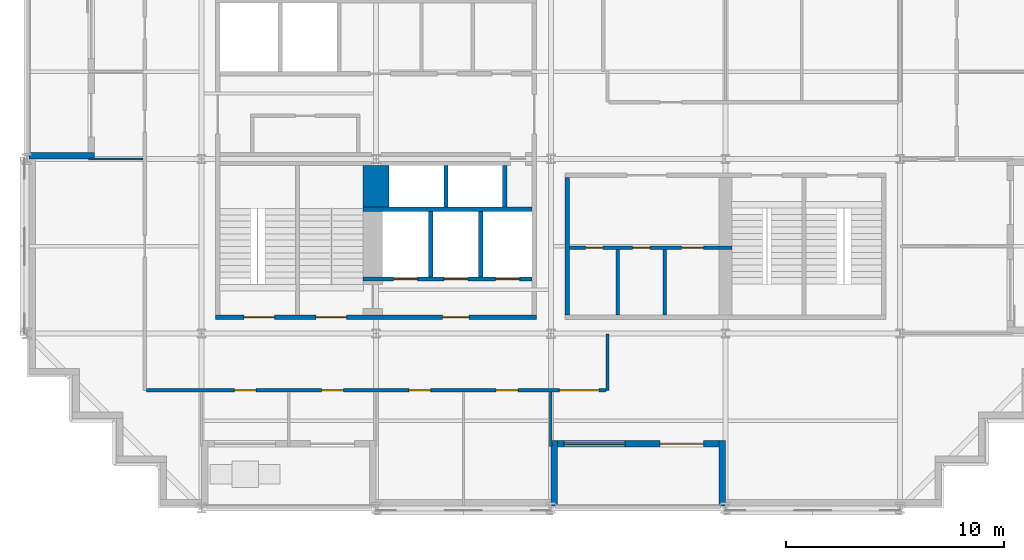
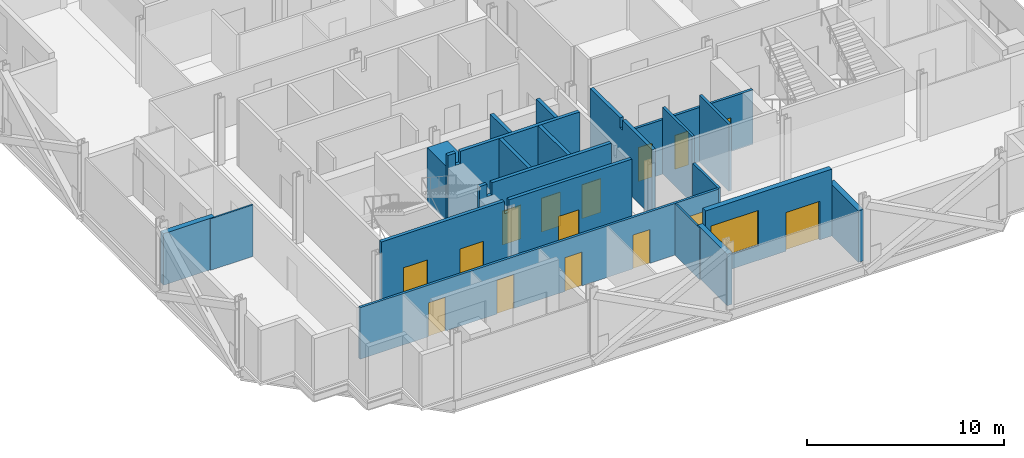
# One storey, part 6 of 15: 20 walls, 15 doors, 1 window, 16 openings.
"""IFC4 building model written with IfcOpenShell, lengths in metres."""

from ifc_helpers import new_model, si_unit, direction, frame, frame_2d, origin, place, context, subcontext, project, spatial, polyline, rectangle, outline, extrude, material, layer, layer_set, type_object, element, fill, save


model = new_model("IFC4")

# Units and contexts
model_context = context("Model", 3, precision=1e-05, world=origin(), true_north=direction((0.0, 1.0)))
body_context = subcontext(model_context, "Body", "Model", "MODEL_VIEW")
ifc_project = project(units=[si_unit("LENGTHUNIT", "METRE"), si_unit("AREAUNIT", "SQUARE_METRE"), si_unit("VOLUMEUNIT", "CUBIC_METRE"), si_unit("PLANEANGLEUNIT", "RADIAN"), si_unit("MASSUNIT", "GRAM", prefix="KILO")], contexts=[model_context])

# Site, building, storey
site_placement = place(None, origin())
site = spatial("IfcSite", under=ifc_project, at=site_placement, CompositionType="ELEMENT")
building_placement = place(site_placement, origin())
building = spatial("IfcBuilding", under=site, at=building_placement, Name="Immortelle Media Tower", CompositionType="ELEMENT")
storey_placement = place(building_placement, frame((0.0, 0.0, 109.60009765625)))
storey = spatial("IfcBuildingStorey", under=building, at=storey_placement, Name="L21", CompositionType="ELEMENT", Elevation=109.60009765625)

# Wall, openings, doors
ifc_material_1 = material(Name="Fire-rated gypsum board", Category="gypsum")
ifc_layer_1 = layer(ifc_material_1, 0.02490234375)
ifc_material_2 = material(Name="Steel ASTM A653 SS Gr 50 stud frame with mineral wool", Category="steel")
ifc_layer_2 = layer(ifc_material_2, 0.10009765625)
ifc_layer_3 = layer(ifc_material_1, 0.02490234375)
ifc_layer_set_1 = layer_set([ifc_layer_1, ifc_layer_2, ifc_layer_3], Name="Steel ASTM A653 SS Gr 50 stud frame with mineral wool")
wall_type_1 = type_object("IfcWallType", Name="Core partition 150", PredefinedType="PARTITIONING", material=ifc_layer_set_1)
wall_1_placement = place(storey_placement, frame((24.85009765625, 11.925048828125, 0.0), z_axis=(0.0, 0.0, 1.0), x_axis=(1.0, 0.0, 0.0)))
wall_1 = element("IfcWall", 1, at=wall_1_placement, inside=storey, type_object=wall_type_1, Name="Core partition SE", PredefinedType="PARTITIONING", context=body_context, shape_type="SweptSolid", body=[
    extrude(rectangle(XDim=7.449951171875, YDim=0.14990234375, at=frame_2d((3.72509765625, 0.0))), origin(), (0.0, 0.0, 1.0), 3.3818359375),
])
opening_1_placement = place(wall_1_placement, frame((1.550048828125, 0.0, 0.0), z_axis=(0.0, 0.0, 1.0), x_axis=(-1.0, 0.0, 0.0)))
opening_1 = element("IfcOpeningElement", 2, at=opening_1_placement, cuts=wall_1, Name="Opening N7-K015", PredefinedType="OPENING", context=body_context, shape_type="SweptSolid", body=[
    extrude(rectangle(XDim=0.800048828125, YDim=2.10009765625, at=frame_2d((0.39990234375, 1.050048828125))), frame((0.0, 0.0849609375, 0.0), z_axis=(0.0, -1.0, 0.0), x_axis=(1.0, 0.0, 0.0)), (0.0, 0.0, 1.0), 0.169921875),
])
opening_2_placement = place(wall_1_placement, frame((3.699951171875, 0.0, 0.0), z_axis=(0.0, 0.0, 1.0), x_axis=(-1.0, 0.0, 0.0)))
opening_2 = element("IfcOpeningElement", 3, at=opening_2_placement, cuts=wall_1, Name="Opening N7-K016", PredefinedType="OPENING", context=body_context, shape_type="SweptSolid", body=[
    extrude(rectangle(XDim=0.800048828125, YDim=2.10009765625, at=frame_2d((0.39990234375, 1.050048828125))), frame((0.0, 0.0849609375, 0.0), z_axis=(0.0, -1.0, 0.0), x_axis=(1.0, 0.0, 0.0)), (0.0, 0.0, 1.0), 0.169921875),
])
opening_3_placement = place(wall_1_placement, frame((6.14990234375, 0.0, 0.0), z_axis=(0.0, 0.0, 1.0), x_axis=(-1.0, 0.0, 0.0)))
opening_3 = element("IfcOpeningElement", 4, at=opening_3_placement, cuts=wall_1, Name="Opening N7-K018", PredefinedType="OPENING", context=body_context, shape_type="SweptSolid", body=[
    extrude(rectangle(XDim=1.0, YDim=2.10009765625, at=frame_2d((0.5, 1.050048828125))), frame((0.0, 0.0849609375, 0.0), z_axis=(0.0, -1.0, 0.0), x_axis=(1.0, 0.0, 0.0)), (0.0, 0.0, 1.0), 0.169921875),
])
ifc_material_3 = material(Name="Timber", Category="wood")
door_type_1 = type_object("IfcDoorType", Name="Accessible toilet door 1000 x 2100", OperationType="NOTDEFINED", PredefinedType="NOTDEFINED", material=ifc_material_3)
door_1_placement = place(opening_3_placement, origin())
door_1 = element("IfcDoor", 5, at=door_1_placement, inside=storey, type_object=door_type_1, Name="Accessible toilet N7-K018", OperationType="SINGLE_SWING_RIGHT", OverallHeight=2.10009765625, OverallWidth=1.0, PredefinedType="NOTDEFINED", context=body_context, shape_type="SweptSolid", body=[
    extrude(rectangle(XDim=1.0, YDim=2.10009765625, at=frame_2d((0.5, 1.050048828125))), frame((0.0, 0.02490234375, 0.0), z_axis=(0.0, -1.0, 0.0), x_axis=(1.0, 0.0, 0.0)), (0.0, 0.0, 1.0), 0.050048828125),
])
fill(opening_3, door_1)
door_type_2 = type_object("IfcDoorType", Name="Toilet door 800 x 2100", OperationType="NOTDEFINED", PredefinedType="NOTDEFINED", material=ifc_material_3)
door_2_placement = place(opening_1_placement, origin())
door_2 = element("IfcDoor", 6, at=door_2_placement, inside=storey, type_object=door_type_2, Name="Toilet N7-K015", OperationType="SINGLE_SWING_LEFT", OverallHeight=2.10009765625, OverallWidth=0.800048828125, PredefinedType="NOTDEFINED", context=body_context, shape_type="SweptSolid", body=[
    extrude(rectangle(XDim=0.800048828125, YDim=2.10009765625, at=frame_2d((0.39990234375, 1.050048828125))), frame((0.0, 0.02490234375, 0.0), z_axis=(0.0, -1.0, 0.0), x_axis=(1.0, 0.0, 0.0)), (0.0, 0.0, 1.0), 0.050048828125),
])
fill(opening_1, door_2)
door_3_placement = place(opening_2_placement, origin())
door_3 = element("IfcDoor", 7, at=door_3_placement, inside=storey, type_object=door_type_2, Name="Toilet N7-K016", OperationType="SINGLE_SWING_LEFT", OverallHeight=2.10009765625, OverallWidth=0.800048828125, PredefinedType="NOTDEFINED", context=body_context, shape_type="SweptSolid", body=[
    extrude(rectangle(XDim=0.800048828125, YDim=2.10009765625, at=frame_2d((0.39990234375, 1.050048828125))), frame((0.0, 0.02490234375, 0.0), z_axis=(0.0, -1.0, 0.0), x_axis=(1.0, 0.0, 0.0)), (0.0, 0.0, 1.0), 0.050048828125),
])
fill(opening_2, door_3)

# Walls
for number, where, z_axis, x_axis, name in (
    (8, (27.074951171875, 8.85009765625, 0.0), (0.0, 0.0, 1.0), (0.0, 1.0, 0.0), "Core partition SE"),
    (9, (29.22509765625, 8.85009765625, 0.0), (0.0, 0.0, 1.0), (0.0, 1.0, 0.0), "Core partition SE"),
):
    element("IfcWall", number, at=place(storey_placement, frame(where, z_axis=z_axis, x_axis=x_axis)), inside=storey, type_object=wall_type_1, Name=name, PredefinedType="PARTITIONING", context=body_context, shape_type="SweptSolid", body=[
        extrude(rectangle(XDim=3.0, YDim=0.14990234375, at=frame_2d((1.5, 0.0))), origin(), (0.0, 0.0, 1.0), 4.14990234375),
    ])

# Wall, openings, doors
ifc_layer_4 = layer(ifc_material_1, 0.03759765625)
ifc_layer_5 = layer(ifc_material_2, 0.125)
ifc_layer_6 = layer(ifc_material_1, 0.03759765625)
ifc_layer_set_2 = layer_set([ifc_layer_4, ifc_layer_5, ifc_layer_6], Name="Steel ASTM A653 SS Gr 50 stud frame with mineral wool")
wall_type_2 = type_object("IfcWallType", Name="Core shaft wall 200", PredefinedType="PARTITIONING", material=ifc_layer_set_2)
wall_2_placement = place(storey_placement, frame((15.39990234375, 10.5, 0.0), z_axis=(0.0, 0.0, 1.0), x_axis=(1.0, 0.0, 0.0)))
wall_2 = element("IfcWall", 10, at=wall_2_placement, inside=storey, type_object=wall_type_2, Name="Core shaft wall SW", PredefinedType="PARTITIONING", context=body_context, shape_type="SweptSolid", body=[
    extrude(outline(polyline([(0.0, 0.0), (7.75, 0.0), (7.75, 4.14990234375), (0.738525390625, 4.14990234375), (0.737548828125, 3.3818359375), (0.46240234375, 3.3818359375), (0.46142578125, 4.14990234375), (0.0, 4.14990234375), (0.0, 0.0)])), frame((0.0, 0.10009765625, 0.0), z_axis=(0.0, -1.0, 0.0), x_axis=(1.0, 0.0, 0.0)), (0.0, 0.0, 1.0), 0.199951171875),
])
opening_4_placement = place(wall_2_placement, frame((1.39990234375, 0.0, 0.0)))
opening_4 = element("IfcOpeningElement", 11, at=opening_4_placement, cuts=wall_2, Name="Opening LD", PredefinedType="OPENING", context=body_context, shape_type="SweptSolid", body=[
    extrude(rectangle(XDim=1.10009765625, YDim=2.10009765625, at=frame_2d((0.550048828125, 1.050048828125))), frame((0.0, 0.10986328125, 0.0), z_axis=(0.0, -1.0, 0.0), x_axis=(1.0, 0.0, 0.0)), (0.0, 0.0, 1.0), 0.219970703125),
])
opening_5_placement = place(wall_2_placement, frame((3.699951171875, 0.0, 0.0)))
opening_5 = element("IfcOpeningElement", 12, at=opening_5_placement, cuts=wall_2, Name="Opening LD", PredefinedType="OPENING", context=body_context, shape_type="SweptSolid", body=[
    extrude(rectangle(XDim=1.10009765625, YDim=2.10009765625, at=frame_2d((0.550048828125, 1.050048828125))), frame((0.0, 0.10986328125, 0.0), z_axis=(0.0, -1.0, 0.0), x_axis=(1.0, 0.0, 0.0)), (0.0, 0.0, 1.0), 0.219970703125),
])
opening_6_placement = place(wall_2_placement, frame((6.074951171875, 0.0, 0.0)))
opening_6 = element("IfcOpeningElement", 13, at=opening_6_placement, cuts=wall_2, Name="Opening LD", PredefinedType="OPENING", context=body_context, shape_type="SweptSolid", body=[
    extrude(rectangle(XDim=1.10009765625, YDim=2.10009765625, at=frame_2d((0.550048828125, 1.050048828125))), frame((0.0, 0.10986328125, 0.0), z_axis=(0.0, -1.0, 0.0), x_axis=(1.0, 0.0, 0.0)), (0.0, 0.0, 1.0), 0.219970703125),
])
ifc_material_4 = material(Name="Stainless steel AISI 304", Category="steel")
door_type_3 = type_object("IfcDoorType", Name="Landing door 1100 x 2100", OperationType="SLIDING_TO_LEFT", PredefinedType="NOTDEFINED", material=ifc_material_4)
door_4_placement = place(opening_4_placement, origin())
door_4 = element("IfcDoor", 14, at=door_4_placement, inside=storey, type_object=door_type_3, Name="Landing door FF1 L21", OperationType="SLIDING_TO_LEFT", OverallHeight=2.10009765625, OverallWidth=1.10009765625, PredefinedType="NOTDEFINED", context=body_context, shape_type="SweptSolid", body=[
    extrude(rectangle(XDim=1.10009765625, YDim=2.10009765625, at=frame_2d((0.550048828125, 1.050048828125))), frame((0.0, 0.02490234375, 0.0), z_axis=(0.0, -1.0, 0.0), x_axis=(1.0, 0.0, 0.0)), (0.0, 0.0, 1.0), 0.050048828125),
])
fill(opening_4, door_4)
door_5_placement = place(opening_5_placement, origin())
door_5 = element("IfcDoor", 15, at=door_5_placement, inside=storey, type_object=door_type_3, Name="Landing door FF2 L21", OperationType="SLIDING_TO_LEFT", OverallHeight=2.10009765625, OverallWidth=1.10009765625, PredefinedType="NOTDEFINED", context=body_context, shape_type="SweptSolid", body=[
    extrude(rectangle(XDim=1.10009765625, YDim=2.10009765625, at=frame_2d((0.550048828125, 1.050048828125))), frame((0.0, 0.02490234375, 0.0), z_axis=(0.0, -1.0, 0.0), x_axis=(1.0, 0.0, 0.0)), (0.0, 0.0, 1.0), 0.050048828125),
])
fill(opening_5, door_5)
door_6_placement = place(opening_6_placement, origin())
door_6 = element("IfcDoor", 16, at=door_6_placement, inside=storey, type_object=door_type_3, Name="Landing door FF3 L21", OperationType="SLIDING_TO_LEFT", OverallHeight=2.10009765625, OverallWidth=1.10009765625, PredefinedType="NOTDEFINED", context=body_context, shape_type="SweptSolid", body=[
    extrude(rectangle(XDim=1.10009765625, YDim=2.10009765625, at=frame_2d((0.550048828125, 1.050048828125))), frame((0.0, 0.02490234375, 0.0), z_axis=(0.0, -1.0, 0.0), x_axis=(1.0, 0.0, 0.0)), (0.0, 0.0, 1.0), 0.050048828125),
])
fill(opening_6, door_6)

# Walls
wall_3_placement = place(storey_placement, frame((15.39990234375, 13.699951171875, 0.0), z_axis=(0.0, 0.0, 1.0), x_axis=(1.0, 0.0, 0.0)))
element("IfcWall", 17, at=wall_3_placement, inside=storey, type_object=wall_type_2, Name="Core shaft wall SW", PredefinedType="PARTITIONING", context=body_context, shape_type="SweptSolid", body=[
    extrude(outline(polyline([(0.0, 0.0), (7.75, 0.0), (7.75, 4.14990234375), (0.738525390625, 4.14990234375), (0.737548828125, 3.3818359375), (0.46240234375, 3.3818359375), (0.46142578125, 4.14990234375), (0.0, 4.14990234375), (0.0, 0.0)])), frame((0.0, 0.10009765625, 0.0), z_axis=(0.0, -1.0, 0.0), x_axis=(1.0, 0.0, 0.0)), (0.0, 0.0, 1.0), 0.199951171875),
])
wall_4_placement = place(storey_placement, frame((18.5, 10.60009765625, 0.0), z_axis=(0.0, 0.0, 1.0), x_axis=(0.0, 1.0, 0.0)))
element("IfcWall", 18, at=wall_4_placement, inside=storey, type_object=wall_type_2, Name="Core shaft wall SW", PredefinedType="PARTITIONING", context=body_context, shape_type="SweptSolid", body=[
    extrude(rectangle(XDim=3.0, YDim=0.199951171875, at=frame_2d((1.5, 0.0))), origin(), (0.0, 0.0, 1.0), 4.14990234375),
])
wall_5_placement = place(storey_placement, frame((19.199951171875, 13.800048828125, 0.0), z_axis=(0.0, 0.0, 1.0), x_axis=(0.0, 1.0, 0.0)))
element("IfcWall", 19, at=wall_5_placement, inside=storey, type_object=wall_type_2, Name="Core shaft wall SW", PredefinedType="PARTITIONING", context=body_context, shape_type="SweptSolid", body=[
    extrude(rectangle(XDim=1.89990234375, YDim=0.199951171875, at=frame_2d((0.949951171875, 0.0))), origin(), (0.0, 0.0, 1.0), 4.14990234375),
])
wall_6_placement = place(storey_placement, frame((20.800048828125, 10.60009765625, 0.0), z_axis=(0.0, 0.0, 1.0), x_axis=(0.0, 1.0, 0.0)))
element("IfcWall", 20, at=wall_6_placement, inside=storey, type_object=wall_type_2, Name="Core shaft wall SW", PredefinedType="PARTITIONING", context=body_context, shape_type="SweptSolid", body=[
    extrude(rectangle(XDim=3.0, YDim=0.199951171875, at=frame_2d((1.5, 0.0))), origin(), (0.0, 0.0, 1.0), 4.14990234375),
])
wall_7_placement = place(storey_placement, frame((21.89990234375, 13.800048828125, 0.0), z_axis=(0.0, 0.0, 1.0), x_axis=(0.0, 1.0, 0.0)))
element("IfcWall", 21, at=wall_7_placement, inside=storey, type_object=wall_type_2, Name="Core shaft wall SW", PredefinedType="PARTITIONING", context=body_context, shape_type="SweptSolid", body=[
    extrude(rectangle(XDim=1.89990234375, YDim=0.199951171875, at=frame_2d((0.949951171875, 0.0))), origin(), (0.0, 0.0, 1.0), 4.14990234375),
])
wall_8_placement = place(storey_placement, frame((24.75, 8.85009765625, 0.0), z_axis=(0.0, 0.0, 1.0), x_axis=(0.0, 1.0, 0.0)))
element("IfcWall", 22, at=wall_8_placement, inside=storey, type_object=wall_type_2, Name="Core shaft wall SE", PredefinedType="PARTITIONING", context=body_context, shape_type="SweptSolid", body=[
    extrude(outline(polyline([(0.0, 0.0), (6.2998046875, 0.0), (6.300048828125, 4.14990234375), (3.26904296875, 4.14990234375), (3.26806640625, 3.5419921875), (3.031982421875, 3.5419921875), (3.031005859375, 4.14990234375), (0.0, 4.14990234375), (0.0, 0.0)])), frame((0.0, 0.10009765625, 0.0), z_axis=(0.0, -1.0, 0.0), x_axis=(1.0, 0.0, 0.0)), (0.0, 0.0, 1.0), 0.199951171875),
])

# Wall, openings, doors
ifc_layer_7 = layer(ifc_material_1, 0.012451171875)
ifc_layer_8 = layer(ifc_material_2, 0.125)
ifc_layer_9 = layer(ifc_material_1, 0.012451171875)
ifc_layer_set_3 = layer_set([ifc_layer_7, ifc_layer_8, ifc_layer_9], Name="Steel ASTM A653 SS Gr 50 stud frame with mineral wool")
wall_type_3 = type_object("IfcWallType", Name="Corridor wall 150", PredefinedType="PARTITIONING", material=ifc_layer_set_3)
wall_9_placement = place(storey_placement, frame((5.47509765625, 5.39990234375, 0.0), z_axis=(0.0, 0.0, 1.0), x_axis=(1.0, 0.0, 0.0)))
wall_9 = element("IfcWall", 23, at=wall_9_placement, inside=storey, type_object=wall_type_3, Name="Partition L21-006", PredefinedType="PARTITIONING", context=body_context, shape_type="SweptSolid", body=[
    extrude(rectangle(XDim=21.0498046875, YDim=0.14990234375, at=frame_2d((10.52490234375, 0.0))), origin(), (0.0, 0.0, 1.0), 3.19384765625),
])
opening_7_placement = place(wall_9_placement, frame((13.02490234375, 0.0, 0.0), z_axis=(0.0, 0.0, 1.0), x_axis=(-1.0, 0.0, 0.0)))
opening_7 = element("IfcOpeningElement", 24, at=opening_7_placement, cuts=wall_9, Name="Opening N7-F001", PredefinedType="OPENING", context=body_context, shape_type="SweptSolid", body=[
    extrude(rectangle(XDim=1.0, YDim=2.10009765625, at=frame_2d((0.5, 1.050048828125))), frame((0.0, 0.0849609375, 0.0), z_axis=(0.0, -1.0, 0.0), x_axis=(1.0, 0.0, 0.0)), (0.0, 0.0, 1.0), 0.169921875),
])
opening_8_placement = place(wall_9_placement, frame((17.02490234375, 0.0, 0.0), z_axis=(0.0, 0.0, 1.0), x_axis=(-1.0, 0.0, 0.0)))
opening_8 = element("IfcOpeningElement", 25, at=opening_8_placement, cuts=wall_9, Name="Opening N7-F002", PredefinedType="OPENING", context=body_context, shape_type="SweptSolid", body=[
    extrude(rectangle(XDim=1.0, YDim=2.10009765625, at=frame_2d((0.5, 1.050048828125))), frame((0.0, 0.0849609375, 0.0), z_axis=(0.0, -1.0, 0.0), x_axis=(1.0, 0.0, 0.0)), (0.0, 0.0, 1.0), 0.169921875),
])
opening_9_placement = place(wall_9_placement, frame((5.02490234375, 0.0, 0.0), z_axis=(0.0, 0.0, 1.0), x_axis=(-1.0, 0.0, 0.0)))
opening_9 = element("IfcOpeningElement", 26, at=opening_9_placement, cuts=wall_9, Name="Opening N7-F003", PredefinedType="OPENING", context=body_context, shape_type="SweptSolid", body=[
    extrude(rectangle(XDim=1.0, YDim=2.10009765625, at=frame_2d((0.5, 1.050048828125))), frame((0.0, 0.0849609375, 0.0), z_axis=(0.0, -1.0, 0.0), x_axis=(1.0, 0.0, 0.0)), (0.0, 0.0, 1.0), 0.169921875),
])
opening_10_placement = place(wall_9_placement, frame((9.02490234375, 0.0, 0.0), z_axis=(0.0, 0.0, 1.0), x_axis=(-1.0, 0.0, 0.0)))
opening_10 = element("IfcOpeningElement", 27, at=opening_10_placement, cuts=wall_9, Name="Opening N7-F004", PredefinedType="OPENING", context=body_context, shape_type="SweptSolid", body=[
    extrude(rectangle(XDim=1.0, YDim=2.10009765625, at=frame_2d((0.5, 1.050048828125))), frame((0.0, 0.0849609375, 0.0), z_axis=(0.0, -1.0, 0.0), x_axis=(1.0, 0.0, 0.0)), (0.0, 0.0, 1.0), 0.169921875),
])
opening_11_placement = place(wall_9_placement, frame((18.925048828125, 0.0, 0.0)))
opening_11 = element("IfcOpeningElement", 28, at=opening_11_placement, cuts=wall_9, Name="Opening N7-F005", PredefinedType="OPENING", context=body_context, shape_type="SweptSolid", body=[
    extrude(rectangle(XDim=1.800048828125, YDim=2.10009765625, at=frame_2d((0.89990234375, 1.050048828125))), frame((0.0, 0.0849609375, 0.0), z_axis=(0.0, -1.0, 0.0), x_axis=(1.0, 0.0, 0.0)), (0.0, 0.0, 1.0), 0.169921875),
])
ifc_material_5 = material(Name="Timber veneered door leaf, galvanised steel frame ASTM A653", Category="steel")
door_type_4 = type_object("IfcDoorType", Name="Room door 1000 x 2100", OperationType="NOTDEFINED", PredefinedType="DOOR", material=ifc_material_5)
door_7_placement = place(opening_7_placement, origin())
door_7 = element("IfcDoor", 29, at=door_7_placement, inside=storey, type_object=door_type_4, Name="Door N7-F001", OperationType="SINGLE_SWING_LEFT", OverallHeight=2.10009765625, OverallWidth=1.0, PredefinedType="DOOR", context=body_context, shape_type="SweptSolid", body=[
    extrude(rectangle(XDim=1.0, YDim=2.10009765625, at=frame_2d((0.5, 1.050048828125))), frame((0.0, 0.02490234375, 0.0), z_axis=(0.0, -1.0, 0.0), x_axis=(1.0, 0.0, 0.0)), (0.0, 0.0, 1.0), 0.050048828125),
])
fill(opening_7, door_7)
door_8_placement = place(opening_8_placement, origin())
door_8 = element("IfcDoor", 30, at=door_8_placement, inside=storey, type_object=door_type_4, Name="Door N7-F002", OperationType="SINGLE_SWING_LEFT", OverallHeight=2.10009765625, OverallWidth=1.0, PredefinedType="DOOR", context=body_context, shape_type="SweptSolid", body=[
    extrude(rectangle(XDim=1.0, YDim=2.10009765625, at=frame_2d((0.5, 1.050048828125))), frame((0.0, 0.02490234375, 0.0), z_axis=(0.0, -1.0, 0.0), x_axis=(1.0, 0.0, 0.0)), (0.0, 0.0, 1.0), 0.050048828125),
])
fill(opening_8, door_8)
door_9_placement = place(opening_9_placement, origin())
door_9 = element("IfcDoor", 31, at=door_9_placement, inside=storey, type_object=door_type_4, Name="Door N7-F003", OperationType="SINGLE_SWING_LEFT", OverallHeight=2.10009765625, OverallWidth=1.0, PredefinedType="DOOR", context=body_context, shape_type="SweptSolid", body=[
    extrude(rectangle(XDim=1.0, YDim=2.10009765625, at=frame_2d((0.5, 1.050048828125))), frame((0.0, 0.02490234375, 0.0), z_axis=(0.0, -1.0, 0.0), x_axis=(1.0, 0.0, 0.0)), (0.0, 0.0, 1.0), 0.050048828125),
])
fill(opening_9, door_9)
door_10_placement = place(opening_10_placement, origin())
door_10 = element("IfcDoor", 32, at=door_10_placement, inside=storey, type_object=door_type_4, Name="Door N7-F004", OperationType="SINGLE_SWING_RIGHT", OverallHeight=2.10009765625, OverallWidth=1.0, PredefinedType="DOOR", context=body_context, shape_type="SweptSolid", body=[
    extrude(rectangle(XDim=1.0, YDim=2.10009765625, at=frame_2d((0.5, 1.050048828125))), frame((0.0, 0.02490234375, 0.0), z_axis=(0.0, -1.0, 0.0), x_axis=(1.0, 0.0, 0.0)), (0.0, 0.0, 1.0), 0.050048828125),
])
fill(opening_10, door_10)
door_type_5 = type_object("IfcDoorType", Name="Room door 1800 x 2100", OperationType="DOUBLE_DOOR_SINGLE_SWING", PredefinedType="DOOR", material=ifc_material_5)
door_11_placement = place(opening_11_placement, origin())
door_11 = element("IfcDoor", 33, at=door_11_placement, inside=storey, type_object=door_type_5, Name="Door N7-F005", OperationType="DOUBLE_DOOR_SINGLE_SWING", OverallHeight=2.10009765625, OverallWidth=1.800048828125, PredefinedType="DOOR", context=body_context, shape_type="SweptSolid", body=[
    extrude(rectangle(XDim=1.800048828125, YDim=2.10009765625, at=frame_2d((0.89990234375, 1.050048828125))), frame((0.0, 0.02490234375, 0.0), z_axis=(0.0, -1.0, 0.0), x_axis=(1.0, 0.0, 0.0)), (0.0, 0.0, 1.0), 0.050048828125),
])
fill(opening_11, door_11)

# Walls
wall_10_placement = place(storey_placement, frame((26.60009765625, 5.39990234375, 0.0), z_axis=(0.0, 0.0, 1.0), x_axis=(0.0, 1.0, 0.0)))
element("IfcWall", 34, at=wall_10_placement, inside=storey, type_object=wall_type_3, Name="Partition L21-008", PredefinedType="PARTITIONING", context=body_context, shape_type="SweptSolid", body=[
    extrude(rectangle(XDim=2.570068359375, YDim=0.14990234375, at=frame_2d((1.28515625, 0.0))), origin(), (0.0, 0.0, 1.0), 3.19384765625),
])
ifc_material_6 = material(Name="Pale aluminium cladding panel", Category="aluminium")
ifc_layer_10 = layer(ifc_material_6, 0.030029296875)
ifc_layer_11 = layer(ifc_material_2, 0.257568359375)
ifc_material_7 = material(Name="Moisture-resistant gypsum board", Category="gypsum")
ifc_layer_12 = layer(ifc_material_7, 0.012451171875)
ifc_layer_set_4 = layer_set([ifc_layer_10, ifc_layer_11, ifc_layer_12], Name="Steel ASTM A653 SS Gr 50 stud frame with mineral wool")
wall_type_4 = type_object("IfcWallType", Name="Facade wall 300", PredefinedType="SOLIDWALL", material=ifc_layer_set_4)
wall_11_placement = place(storey_placement, frame((0.10009765625, 16.14990234375, 0.0), z_axis=(0.0, 0.0, 1.0), x_axis=(1.0, 0.0, 0.0)))
element("IfcWall", 35, at=wall_11_placement, inside=storey, type_object=wall_type_4, Name="Loggia cheek wall L21 W", PredefinedType="SOLIDWALL", context=body_context, shape_type="SweptSolid", body=[
    extrude(rectangle(XDim=3.0, YDim=0.300048828125, at=frame_2d((1.5, 0.0))), origin(), (0.0, 0.0, 1.0), 3.198974609375),
])

# Wall, openings, door, window
wall_12_placement = place(storey_placement, frame((24.300048828125, 2.949951171875, 0.0), z_axis=(0.0, 0.0, 1.0), x_axis=(1.0, 0.0, 0.0)))
wall_12 = element("IfcWall", 36, at=wall_12_placement, inside=storey, type_object=wall_type_4, Name="Loggia wall L21 S7", PredefinedType="SOLIDWALL", context=body_context, shape_type="SweptSolid", body=[
    extrude(rectangle(XDim=7.39990234375, YDim=0.300048828125, at=frame_2d((3.699951171875, 0.0))), origin(), (0.0, 0.0, 1.0), 4.14990234375),
])
opening_12_placement = place(wall_12_placement, frame((0.300048828125, 0.0, 0.89990234375)))
opening_12 = element("IfcOpeningElement", 37, at=opening_12_placement, cuts=wall_12, Name="Opening W1", PredefinedType="OPENING", context=body_context, shape_type="SweptSolid", body=[
    extrude(rectangle(XDim=2.800048828125, YDim=2.199951171875, at=frame_2d((1.39990234375, 1.10009765625))), frame((0.0, 0.159912109375, 0.0), z_axis=(0.0, -1.0, 0.0), x_axis=(1.0, 0.0, 0.0)), (0.0, 0.0, 1.0), 0.320068359375),
])
opening_13_placement = place(wall_12_placement, frame((4.699951171875, 0.0, 0.0)))
opening_13 = element("IfcOpeningElement", 38, at=opening_13_placement, cuts=wall_12, Name="Opening N7-E004", PredefinedType="OPENING", context=body_context, shape_type="SweptSolid", body=[
    extrude(rectangle(XDim=2.0, YDim=2.39990234375, at=frame_2d((1.0, 1.199951171875))), frame((0.0, 0.159912109375, 0.0), z_axis=(0.0, -1.0, 0.0), x_axis=(1.0, 0.0, 0.0)), (0.0, 0.0, 1.0), 0.320068359375),
])
ifc_material_8 = material(Name="Aluminium frame, glazed leaves", Category="aluminium")
door_type_6 = type_object("IfcDoorType", Name="Loggia door 2000 x 2400", OperationType="DOUBLE_DOOR_SINGLE_SWING", PredefinedType="DOOR", material=ifc_material_8)
door_12_placement = place(opening_13_placement, origin())
door_12 = element("IfcDoor", 39, at=door_12_placement, inside=storey, type_object=door_type_6, Name="Door N7-E004", OperationType="DOUBLE_DOOR_SINGLE_SWING", OverallHeight=2.39990234375, OverallWidth=2.0, PredefinedType="DOOR", context=body_context, shape_type="SweptSolid", body=[
    extrude(rectangle(XDim=2.0, YDim=2.39990234375, at=frame_2d((1.0, 1.199951171875))), frame((0.0, 0.02490234375, 0.0), z_axis=(0.0, -1.0, 0.0), x_axis=(1.0, 0.0, 0.0)), (0.0, 0.0, 1.0), 0.050048828125),
])
fill(opening_13, door_12)
ifc_material_9 = material(Name="Aluminium frame", Category="aluminium")
window_type = type_object("IfcWindowType", Name="Window 2800 x 2200", PartitioningType="SINGLE_PANEL", PredefinedType="WINDOW", material=ifc_material_9)
window_placement = place(opening_12_placement, origin())
window = element("IfcWindow", 40, at=window_placement, inside=storey, type_object=window_type, Name="Window L21 L21-R7-B2", OverallHeight=2.199951171875, OverallWidth=2.800048828125, PartitioningType="SINGLE_PANEL", PredefinedType="WINDOW", context=body_context, shape_type="SweptSolid", body=[
    extrude(rectangle(XDim=2.800048828125, YDim=2.199951171875, at=frame_2d((1.39990234375, 1.10009765625))), frame((0.0, 0.030029296875, 0.0), z_axis=(0.0, -1.0, 0.0), x_axis=(1.0, 0.0, 0.0)), (0.0, 0.0, 1.0), 0.06005859375),
])
fill(opening_12, window)

# Walls
for number, where, z_axis, x_axis, name in (
    (41, (24.14990234375, 0.10009765625, 0.0), (0.0, 0.0, 1.0), (0.0, 1.0, 0.0), "Loggia cheek wall L21 S"),
    (42, (31.85009765625, 0.10009765625, 0.0), (0.0, 0.0, 1.0), (0.0, 1.0, 0.0), "Loggia cheek wall L21 S"),
):
    element("IfcWall", number, at=place(storey_placement, frame(where, z_axis=z_axis, x_axis=x_axis)), inside=storey, type_object=wall_type_4, Name=name, PredefinedType="SOLIDWALL", context=body_context, shape_type="SweptSolid", body=[
        extrude(rectangle(XDim=3.0, YDim=0.300048828125, at=frame_2d((1.5, 0.0))), origin(), (0.0, 0.0, 1.0), 3.198974609375),
    ])
ifc_material_10 = material(Name="Gypsum board", Category="gypsum")
ifc_layer_13 = layer(ifc_material_10, 0.012451171875)
ifc_layer_14 = layer(ifc_material_2, 0.074951171875)
ifc_layer_15 = layer(ifc_material_10, 0.012451171875)
ifc_layer_set_5 = layer_set([ifc_layer_13, ifc_layer_14, ifc_layer_15], Name="Steel ASTM A653 SS Gr 50 stud frame with mineral wool")
wall_type_5 = type_object("IfcWallType", Name="Partition 100", PredefinedType="PARTITIONING", material=ifc_layer_set_5)
for number, where, z_axis, x_axis, name in (
    (43, (24.0, 2.830078125, 0.0), (0.0, 0.0, 1.0), (0.0, 1.0, 0.0), "Partition L21-005"),
    (44, (2.830078125, 16.0, 0.0), (0.0, 0.0, 1.0), (1.0, 0.0, 0.0), "Partition L21-011"),
):
    element("IfcWall", number, at=place(storey_placement, frame(where, z_axis=z_axis, x_axis=x_axis)), inside=storey, type_object=wall_type_5, Name=name, PredefinedType="PARTITIONING", context=body_context, shape_type="SweptSolid", body=[
        extrude(rectangle(XDim=2.494873046875, YDim=0.10009765625, at=frame_2d((1.24755859375, 0.0))), origin(), (0.0, 0.0, 1.0), 3.19384765625),
    ])
ifc_material_11 = material(Name="Concrete C60", Category="concrete")
ifc_layer_16 = layer(ifc_material_11, 1.199951171875)
ifc_layer_set_6 = layer_set([ifc_layer_16], Name="Concrete C60")
wall_type_6 = type_object("IfcWallType", Name="Stair shaft wall 1200", PredefinedType="PARTITIONING", material=ifc_layer_set_6)
wall_13_placement = place(storey_placement, frame((16.0, 13.800048828125, 0.0), z_axis=(0.0, 0.0, 1.0), x_axis=(0.0, 1.0, 0.0)))
element("IfcWall", 45, at=wall_13_placement, inside=storey, type_object=wall_type_6, Name="Stair shaft wall SW", PredefinedType="PARTITIONING", context=body_context, shape_type="SweptSolid", body=[
    extrude(rectangle(XDim=1.89990234375, YDim=1.199951171875, at=frame_2d((0.949951171875, 0.0))), origin(), (0.0, 0.0, 1.0), 3.3818359375),
])

# Wall, openings, doors
ifc_layer_17 = layer(ifc_material_11, 0.199951171875)
ifc_layer_set_7 = layer_set([ifc_layer_17], Name="Concrete C60")
wall_type_7 = type_object("IfcWallType", Name="Stair shaft wall 200", PredefinedType="PARTITIONING", material=ifc_layer_set_7)
wall_14_placement = place(storey_placement, frame((8.64990234375, 8.75, 0.0), z_axis=(0.0, 0.0, 1.0), x_axis=(1.0, 0.0, 0.0)))
wall_14 = element("IfcWall", 46, at=wall_14_placement, inside=storey, type_object=wall_type_7, Name="Stair shaft wall SW", PredefinedType="PARTITIONING", context=body_context, shape_type="SweptSolid", body=[
    extrude(outline(polyline([(0.0, 0.0), (14.7001953125, 0.0), (14.699951171875, 4.14990234375), (7.488525390625, 4.14990234375), (7.487548828125, 3.3818359375), (7.21240234375, 3.3818359375), (7.21142578125, 4.14990234375), (0.0, 4.14990234375), (0.0, 0.0)])), frame((0.0, 0.10009765625, 0.0), z_axis=(0.0, -1.0, 0.0), x_axis=(1.0, 0.0, 0.0)), (0.0, 0.0, 1.0), 0.199951171875),
])
opening_14_placement = place(wall_14_placement, frame((1.300048828125, 0.0, 0.0)))
opening_14 = element("IfcOpeningElement", 47, at=opening_14_placement, cuts=wall_14, Name="Opening N7-K002", PredefinedType="OPENING", context=body_context, shape_type="SweptSolid", body=[
    extrude(rectangle(XDim=1.39990234375, YDim=2.10009765625, at=frame_2d((0.699951171875, 1.050048828125))), frame((0.0, 0.10986328125, 0.0), z_axis=(0.0, -1.0, 0.0), x_axis=(1.0, 0.0, 0.0)), (0.0, 0.0, 1.0), 0.219970703125),
])
opening_15_placement = place(wall_14_placement, frame((4.60009765625, 0.0, 0.0)))
opening_15 = element("IfcOpeningElement", 48, at=opening_15_placement, cuts=wall_14, Name="Opening N7-K004", PredefinedType="OPENING", context=body_context, shape_type="SweptSolid", body=[
    extrude(rectangle(XDim=1.39990234375, YDim=2.10009765625, at=frame_2d((0.699951171875, 1.050048828125))), frame((0.0, 0.10986328125, 0.0), z_axis=(0.0, -1.0, 0.0), x_axis=(1.0, 0.0, 0.0)), (0.0, 0.0, 1.0), 0.219970703125),
])
opening_16_placement = place(wall_14_placement, frame((10.39990234375, 0.0, 0.0)))
opening_16 = element("IfcOpeningElement", 49, at=opening_16_placement, cuts=wall_14, Name="Opening N7-K009", PredefinedType="OPENING", context=body_context, shape_type="SweptSolid", body=[
    extrude(rectangle(XDim=1.199951171875, YDim=2.10009765625, at=frame_2d((0.60009765625, 1.050048828125))), frame((0.0, 0.10986328125, 0.0), z_axis=(0.0, -1.0, 0.0), x_axis=(1.0, 0.0, 0.0)), (0.0, 0.0, 1.0), 0.219970703125),
])
ifc_material_12 = material(Name="Galvanised steel door leaf and frame ASTM A653", Category="steel")
door_type_7 = type_object("IfcDoorType", Name="Fire-fighting lobby door 1200 x 2100", OperationType="NOTDEFINED", PredefinedType="NOTDEFINED", material=ifc_material_12)
door_13_placement = place(opening_16_placement, origin())
door_13 = element("IfcDoor", 50, at=door_13_placement, inside=storey, type_object=door_type_7, Name="Fire-fighting lobby N7-K009", OperationType="SINGLE_SWING_RIGHT", OverallHeight=2.10009765625, OverallWidth=1.199951171875, PredefinedType="NOTDEFINED", context=body_context, shape_type="SweptSolid", body=[
    extrude(rectangle(XDim=1.199951171875, YDim=2.10009765625, at=frame_2d((0.60009765625, 1.050048828125))), frame((0.0, 0.02490234375, 0.0), z_axis=(0.0, -1.0, 0.0), x_axis=(1.0, 0.0, 0.0)), (0.0, 0.0, 1.0), 0.050048828125),
])
fill(opening_16, door_13)
door_type_8 = type_object("IfcDoorType", Name="Stair door 1400 x 2100", OperationType="DOUBLE_DOOR_SINGLE_SWING", PredefinedType="NOTDEFINED", material=ifc_material_12)
door_14_placement = place(opening_14_placement, origin())
door_14 = element("IfcDoor", 51, at=door_14_placement, inside=storey, type_object=door_type_8, Name="Stair N7-K002", OperationType="DOUBLE_DOOR_SINGLE_SWING", OverallHeight=2.10009765625, OverallWidth=1.39990234375, PredefinedType="NOTDEFINED", context=body_context, shape_type="SweptSolid", body=[
    extrude(rectangle(XDim=1.39990234375, YDim=2.10009765625, at=frame_2d((0.699951171875, 1.050048828125))), frame((0.0, 0.02490234375, 0.0), z_axis=(0.0, -1.0, 0.0), x_axis=(1.0, 0.0, 0.0)), (0.0, 0.0, 1.0), 0.050048828125),
])
fill(opening_14, door_14)
door_15_placement = place(opening_15_placement, origin())
door_15 = element("IfcDoor", 52, at=door_15_placement, inside=storey, type_object=door_type_8, Name="Stair N7-K004", OperationType="DOUBLE_DOOR_SINGLE_SWING", OverallHeight=2.10009765625, OverallWidth=1.39990234375, PredefinedType="NOTDEFINED", context=body_context, shape_type="SweptSolid", body=[
    extrude(rectangle(XDim=1.39990234375, YDim=2.10009765625, at=frame_2d((0.699951171875, 1.050048828125))), frame((0.0, 0.02490234375, 0.0), z_axis=(0.0, -1.0, 0.0), x_axis=(1.0, 0.0, 0.0)), (0.0, 0.0, 1.0), 0.050048828125),
])
fill(opening_15, door_15)

save(model, "model.ifc")
